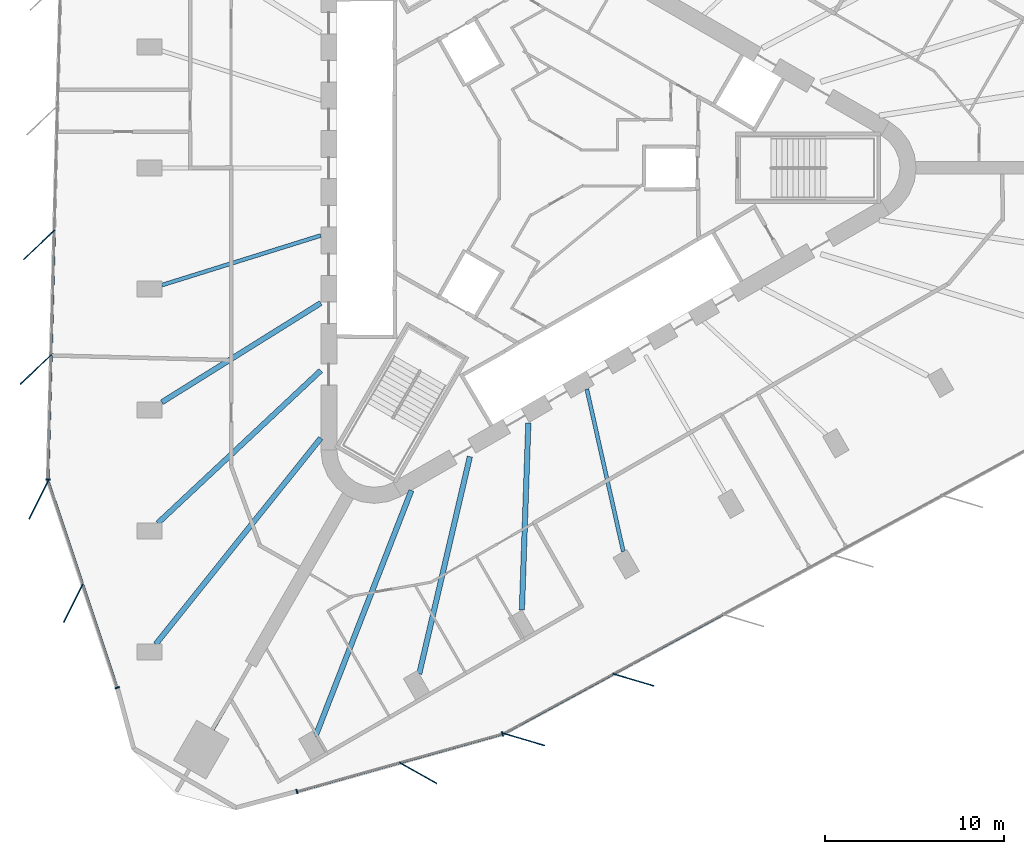
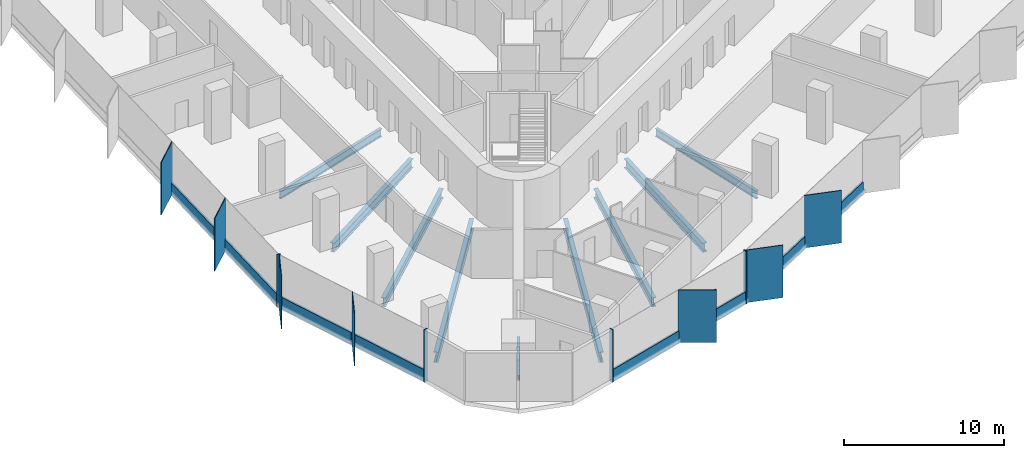
# One storey, part 2 of 14: 19 members, 9 beams, 4 elements without a shape of their own.
"""IFC4 building model written with IfcOpenShell, lengths in metres."""

from ifc_helpers import new_model, si_unit, direction, frame, origin, origin_2d, place, context, subcontext, project, spatial, rectangle, i_section, extrude, material, material_profile, profile_set, type_object, element, aggregate, save


model = new_model("IFC4")

# Units and contexts
model_context = context("Model", 3, precision=1e-05, world=origin(), true_north=direction((0.0, 1.0)))
body_context = subcontext(model_context, "Body", "Model", "MODEL_VIEW")
ifc_project = project(units=[si_unit("LENGTHUNIT", "METRE"), si_unit("AREAUNIT", "SQUARE_METRE"), si_unit("VOLUMEUNIT", "CUBIC_METRE"), si_unit("PLANEANGLEUNIT", "RADIAN"), si_unit("MASSUNIT", "GRAM", prefix="KILO")], contexts=[model_context])

# Site, building, storey
site_placement = place(None, origin())
site = spatial("IfcSite", under=ifc_project, at=site_placement, CompositionType="ELEMENT")
building_placement = place(site_placement, origin())
building = spatial("IfcBuilding", under=site, at=building_placement, Name="Tanit Gate Tower", CompositionType="ELEMENT")
storey_placement = place(building_placement, frame((0.0, 0.0, 245.199951171875)))
storey = spatial("IfcBuildingStorey", under=building, at=storey_placement, Name="L55", CompositionType="ELEMENT", Elevation=245.199951171875)

# Curtain wall, members
ifc_material_1 = material(Name="Aluminium bronze anodised and glass", Category="aluminium")
curtain_wall_type = type_object("IfcCurtainWallType", Name="Curtain wall typical mid", PredefinedType="NOTDEFINED", material=ifc_material_1)
curtain_wall_1_placement = place(storey_placement, origin())
curtain_wall_1 = element("IfcCurtainWall", 1, at=curtain_wall_1_placement, inside=storey, type_object=curtain_wall_type, Name="Curtain wall L55 W2", PredefinedType="NOTDEFINED")
ifc_material_2 = material(Name="Aluminium bronze anodised", Category="aluminium")
ifc_material_profile_1 = material_profile(ifc_material_2, rectangle(XDim=2.39990234375, YDim=0.055908203125, at=origin_2d()), Name="56x2400 bronze fin mullion")
ifc_profile_set_1 = profile_set([ifc_material_profile_1], Name="Aluminium bronze anodised")
member_type_1 = type_object("IfcMemberType", Name="FIN MULLION 56x2400 bronze", PredefinedType="MULLION", material=ifc_profile_set_1)
member_1_placement = place(storey_placement, frame((-27.85595703125, -4.296875, -0.300048828125), z_axis=(0.0, 0.0, 1.0), x_axis=(0.725200158595, 0.688538110764, 0.0)))
member_1 = element("IfcMember", 2, at=member_1_placement, type_object=member_type_1, Name="Fin mullion L55 W2.4", PredefinedType="MULLION", context=body_context, shape_type="SweptSolid", body=[
    extrude(rectangle(XDim=2.39990234375, YDim=0.055908203125, at=origin_2d()), origin(), (0.0, 0.0, 1.0), 4.0),
])
member_2_placement = place(storey_placement, frame((-28.036865234375, -11.2685546875, -0.300048828125), z_axis=(0.0, 0.0, 1.0), x_axis=(0.725200158595, 0.688538110764, 0.0)))
member_2 = element("IfcMember", 3, at=member_2_placement, type_object=member_type_1, Name="Fin mullion L55 W2.5", PredefinedType="MULLION", context=body_context, shape_type="SweptSolid", body=[
    extrude(rectangle(XDim=2.39990234375, YDim=0.055908203125, at=origin_2d()), origin(), (0.0, 0.0, 1.0), 4.0),
])

curtain_wall_2_placement = place(storey_placement, origin())
curtain_wall_2 = element("IfcCurtainWall", 4, at=curtain_wall_2_placement, inside=storey, type_object=curtain_wall_type, Name="Curtain wall L55 W3", PredefinedType="NOTDEFINED")
member_3_placement = place(storey_placement, frame((-27.8779296875, -18.561279296875, -0.300048828125), z_axis=(0.0, 0.0, 1.0), x_axis=(0.446864758438, 0.894601524516, 0.0)))
member_3 = element("IfcMember", 5, at=member_3_placement, type_object=member_type_1, Name="Fin mullion L55 W3.1", PredefinedType="MULLION", context=body_context, shape_type="SweptSolid", body=[
    extrude(rectangle(XDim=2.39990234375, YDim=0.055908203125, at=origin_2d()), origin(), (0.0, 0.0, 1.0), 4.0),
])
member_4_placement = place(storey_placement, frame((-25.94775390625, -24.34375, -0.300048828125), z_axis=(0.0, 0.0, 1.0), x_axis=(0.446864758438, 0.894601524516, 0.0)))
member_4 = element("IfcMember", 6, at=member_4_placement, type_object=member_type_1, Name="Fin mullion L55 W3.2", PredefinedType="MULLION", context=body_context, shape_type="SweptSolid", body=[
    extrude(rectangle(XDim=2.39990234375, YDim=0.055908203125, at=origin_2d()), origin(), (0.0, 0.0, 1.0), 4.0),
])

# Curtain wall, member
curtain_wall_3_placement = place(storey_placement, origin())
curtain_wall_3 = element("IfcCurtainWall", 7, at=curtain_wall_3_placement, inside=storey, type_object=curtain_wall_type, Name="Curtain wall L55 SE1", PredefinedType="NOTDEFINED")
member_5_placement = place(storey_placement, frame((-6.660400390625, -33.846435546875, -0.300048828125), z_axis=(0.0, 0.0, 1.0), x_axis=(-0.871576439722, 0.490259635012, 0.0)))
member_5 = element("IfcMember", 8, at=member_5_placement, type_object=member_type_1, Name="Fin mullion L55 SE1.2", PredefinedType="MULLION", context=body_context, shape_type="SweptSolid", body=[
    extrude(rectangle(XDim=2.39990234375, YDim=0.055908203125, at=origin_2d()), origin(), (0.0, 0.0, 1.0), 4.0),
])

# Curtain wall, members
curtain_wall_4_placement = place(storey_placement, origin())
curtain_wall_4 = element("IfcCurtainWall", 9, at=curtain_wall_4_placement, inside=storey, type_object=curtain_wall_type, Name="Curtain wall L55 SE2", PredefinedType="NOTDEFINED")
member_6_placement = place(storey_placement, frame((-0.735107421875, -31.96337890625, -0.300048828125), z_axis=(0.0, 0.0, 1.0), x_axis=(-0.958891574692, 0.28377270479, 0.0)))
member_6 = element("IfcMember", 10, at=member_6_placement, type_object=member_type_1, Name="Fin mullion L55 SE2.1", PredefinedType="MULLION", context=body_context, shape_type="SweptSolid", body=[
    extrude(rectangle(XDim=2.39990234375, YDim=0.055908203125, at=origin_2d()), origin(), (0.0, 0.0, 1.0), 4.0),
])
member_7_placement = place(storey_placement, frame((5.39306640625, -28.63427734375, -0.300048828125), z_axis=(0.0, 0.0, 1.0), x_axis=(-0.958891574692, 0.28377270479, 0.0)))
member_7 = element("IfcMember", 11, at=member_7_placement, type_object=member_type_1, Name="Fin mullion L55 SE2.2", PredefinedType="MULLION", context=body_context, shape_type="SweptSolid", body=[
    extrude(rectangle(XDim=2.39990234375, YDim=0.055908203125, at=origin_2d()), origin(), (0.0, 0.0, 1.0), 4.0),
])

# Member
ifc_material_3 = material(Name="Aluminium bronze anodised", Category="aluminium")
ifc_material_profile_2 = material_profile(ifc_material_3, rectangle(XDim=0.260009765625, YDim=0.080078125, at=origin_2d()), Name="80x260 bronze mullion")
ifc_profile_set_2 = profile_set([ifc_material_profile_2], Name="Aluminium bronze anodised")
member_type_2 = type_object("IfcMemberType", Name="Mullion 80x260 typical mid", PredefinedType="MULLION", material=ifc_profile_set_2)
member_8_placement = place(storey_placement, frame((-27.36279296875, -17.4287109375, -0.300048828125), z_axis=(0.0, 0.0, 1.0), x_axis=(0.999663917086, -0.025923982634, 0.0)))
member_8 = element("IfcMember", 12, at=member_8_placement, type_object=member_type_2, Name="Mullion L55 W2.6", PredefinedType="MULLION", context=body_context, shape_type="SweptSolid", body=[
    extrude(rectangle(XDim=0.260009765625, YDim=0.080078125, at=origin_2d()), origin(), (0.0, 0.0, 1.0), 4.0),
])

member_9_placement = place(storey_placement, frame((-23.490966796875, -29.072021484375, -0.300048828125), z_axis=(0.0, 0.0, 1.0), x_axis=(0.94855990541, 0.31659770348, 0.0)))
member_9 = element("IfcMember", 13, at=member_9_placement, type_object=member_type_2, Name="Mullion L55 W3.3", PredefinedType="MULLION", context=body_context, shape_type="SweptSolid", body=[
    extrude(rectangle(XDim=0.260009765625, YDim=0.080078125, at=origin_2d()), origin(), (0.0, 0.0, 1.0), 4.0),
])

member_10_placement = place(storey_placement, frame((-13.436279296875, -34.878173828125, -0.300048828125), z_axis=(0.0, 0.0, 1.0), x_axis=(-0.269631698391, 0.962963523309, 0.0)))
member_10 = element("IfcMember", 14, at=member_10_placement, type_object=member_type_2, Name="Mullion L55 SE1.1", PredefinedType="MULLION", context=body_context, shape_type="SweptSolid", body=[
    extrude(rectangle(XDim=0.260009765625, YDim=0.080078125, at=origin_2d()), origin(), (0.0, 0.0, 1.0), 4.0),
])

member_11_placement = place(storey_placement, frame((-1.939208984375, -31.658935546875, -0.300048828125), z_axis=(0.0, 0.0, 1.0), x_axis=(-0.269631698391, 0.962963523309, 0.0)))
member_11 = element("IfcMember", 15, at=member_11_placement, type_object=member_type_2, Name="Mullion L55 SE1.3", PredefinedType="MULLION", context=body_context, shape_type="SweptSolid", body=[
    extrude(rectangle(XDim=0.260009765625, YDim=0.080078125, at=origin_2d()), origin(), (0.0, 0.0, 1.0), 4.0),
])

# Beams
ifc_material_4 = material(Name="Steel S355", Category="steel")
ifc_material_profile_3 = material_profile(ifc_material_4, i_section(OverallWidth=0.300048828125, OverallDepth=0.68994140625, WebThickness=0.014404296875, FlangeThickness=0.027099609375, FilletRadius=0.027099609375, at=origin_2d()), Name="HEA 700")
ifc_profile_set_3 = profile_set([ifc_material_profile_3], Name="Steel S355")
beam_type_1 = type_object("IfcBeamType", Name="RADIAL GIRDER HEA 700 S355", PredefinedType="BEAM", material=ifc_profile_set_3)
beam_1_placement = place(storey_placement, frame((-20.993408203125, -13.10498046875, -0.64501953125), z_axis=(0.848289986152, 0.52953196258, 0.0), x_axis=(-0.52953196258, 0.848289986152, 0.0)))
element("IfcBeam", 16, at=beam_1_placement, inside=storey, type_object=beam_type_1, Name="RADIAL GIRDER", PredefinedType="BEAM", context=body_context, shape_type="SweptSolid", body=[
    extrude(i_section(OverallWidth=0.300048828125, OverallDepth=0.68994140625, WebThickness=0.014404296875, FlangeThickness=0.027099609375, FilletRadius=0.027099609375, at=origin_2d()), origin(), (0.0, 0.0, 1.0), 10.4814453125),
])
beam_2_placement = place(storey_placement, frame((-21.212646484375, -19.86279296875, -0.64501953125), z_axis=(0.729943944241, 0.683507014058, 0.0), x_axis=(-0.683507014058, 0.729943944241, 0.0)))
element("IfcBeam", 17, at=beam_2_placement, inside=storey, type_object=beam_type_1, Name="RADIAL GIRDER", PredefinedType="BEAM", context=body_context, shape_type="SweptSolid", body=[
    extrude(i_section(OverallWidth=0.300048828125, OverallDepth=0.68994140625, WebThickness=0.014404296875, FlangeThickness=0.027099609375, FilletRadius=0.027099609375, at=origin_2d()), origin(), (0.0, 0.0, 1.0), 12.481201171875),
])
beam_3_placement = place(storey_placement, frame((-6.595458984375, -28.30224609375, -0.64501953125), z_axis=(0.226957535876, 0.973904654938, 0.0), x_axis=(-0.973904654938, 0.226957535876, 0.0)))
element("IfcBeam", 18, at=beam_3_placement, inside=storey, type_object=beam_type_1, Name="RADIAL GIRDER", PredefinedType="BEAM", context=body_context, shape_type="SweptSolid", body=[
    extrude(i_section(OverallWidth=0.300048828125, OverallDepth=0.68994140625, WebThickness=0.014404296875, FlangeThickness=0.027099609375, FilletRadius=0.027099609375, at=origin_2d()), origin(), (0.0, 0.0, 1.0), 12.4814453125),
])
beam_4_placement = place(storey_placement, frame((-0.8525390625, -24.733154296875, -0.64501953125), z_axis=(0.034449440127, 0.999406441882, 0.0), x_axis=(-0.999406441882, 0.034449440127, 0.0)))
element("IfcBeam", 19, at=beam_4_placement, inside=storey, type_object=beam_type_1, Name="RADIAL GIRDER", PredefinedType="BEAM", context=body_context, shape_type="SweptSolid", body=[
    extrude(i_section(OverallWidth=0.300048828125, OverallDepth=0.68994140625, WebThickness=0.014404296875, FlangeThickness=0.027099609375, FilletRadius=0.027099609375, at=origin_2d()), origin(), (0.0, 0.0, 1.0), 10.4814453125),
])
ifc_material_5 = material(Name="Steel S355", Category="steel")
ifc_material_profile_4 = material_profile(ifc_material_5, i_section(OverallWidth=0.300048828125, OverallDepth=0.7900390625, WebThickness=0.014892578125, FlangeThickness=0.028076171875, FilletRadius=0.030029296875, at=origin_2d()), Name="HEA 800")
ifc_profile_set_4 = profile_set([ifc_material_profile_4], Name="Steel S355")
beam_type_2 = type_object("IfcBeamType", Name="RADIAL GIRDER HEA 800 S355", PredefinedType="BEAM", material=ifc_profile_set_4)
for number, where, z_axis, x_axis, name in (
    (20, (-21.3330078125, -26.6337890625, -0.695068359375), (0.625158701972, 0.780497660053, 0.0), (-0.780497660053, 0.625158701972, 0.0), "RADIAL GIRDER"),
    (21, (-12.399169921875, -31.791748046875, -0.695068359375), (0.363354891864, 0.931650805054, 0.0), (-0.931650805054, 0.363354891864, 0.0), "RADIAL GIRDER"),
):
    element("IfcBeam", number, at=place(storey_placement, frame(where, z_axis=z_axis, x_axis=x_axis)), inside=storey, type_object=beam_type_2, Name=name, PredefinedType="BEAM", context=body_context, shape_type="SweptSolid", body=[
        extrude(i_section(OverallWidth=0.300048828125, OverallDepth=0.7900390625, WebThickness=0.014892578125, FlangeThickness=0.028076171875, FilletRadius=0.030029296875, at=origin_2d()), origin(), (0.0, 0.0, 1.0), 14.765869140625),
    ])
ifc_material_6 = material(Name="Steel S355", Category="steel")
ifc_material_profile_5 = material_profile(ifc_material_6, i_section(OverallWidth=0.179931640625, OverallDepth=0.39990234375, WebThickness=0.008544921875, FlangeThickness=0.013427734375, FilletRadius=0.02099609375, at=origin_2d()), Name="IPE 400")
ifc_profile_set_5 = profile_set([ifc_material_profile_5], Name="Steel S355")
beam_type_3 = type_object("IfcBeamType", Name="RADIAL GIRDER IPE 400 S355", PredefinedType="BEAM", material=ifc_profile_set_5)
beam_5_placement = place(storey_placement, frame((-18.135009765625, -31.41064453125, -0.5), z_axis=(0.500009597358, 0.866019862676, 0.0), x_axis=(-0.866019862676, 0.500009597358, 0.0)))
element("IfcBeam", 22, at=beam_5_placement, inside=storey, type_object=beam_type_3, Name="RADIAL GIRDER", PredefinedType="BEAM", context=body_context, shape_type="SweptSolid", body=[
    extrude(i_section(OverallWidth=0.179931640625, OverallDepth=0.39990234375, WebThickness=0.008544921875, FlangeThickness=0.013427734375, FilletRadius=0.02099609375, at=origin_2d()), origin(), (0.0, 0.0, 1.0), 4.2197265625),
])
ifc_material_7 = material(Name="Steel S355", Category="steel")
ifc_material_profile_6 = material_profile(ifc_material_7, i_section(OverallWidth=0.219970703125, OverallDepth=0.60009765625, WebThickness=0.011962890625, FlangeThickness=0.01904296875, FilletRadius=0.02392578125, at=origin_2d()), Name="IPE 600")
ifc_profile_set_6 = profile_set([ifc_material_profile_6], Name="Steel S355")
beam_type_4 = type_object("IfcBeamType", Name="RADIAL GIRDER IPE 600 S355", PredefinedType="BEAM", material=ifc_profile_set_6)
beam_6_placement = place(storey_placement, frame((-20.993408203125, -6.552490234375, -0.599853515625), z_axis=(0.954583925113, 0.297942158674, 0.0), x_axis=(-0.297942158674, 0.954583925113, 0.0)))
element("IfcBeam", 23, at=beam_6_placement, inside=storey, type_object=beam_type_4, Name="RADIAL GIRDER", PredefinedType="BEAM", context=body_context, shape_type="SweptSolid", body=[
    extrude(i_section(OverallWidth=0.219970703125, OverallDepth=0.60009765625, WebThickness=0.011962890625, FlangeThickness=0.01904296875, FilletRadius=0.02392578125, at=origin_2d()), origin(), (0.0, 0.0, 1.0), 9.314453125),
])
beam_7_placement = place(storey_placement, frame((4.822021484375, -21.456787109375, -0.599853515625), z_axis=(-0.219263945234, 0.975665579141, 0.0), x_axis=(-0.975665579141, -0.219263945234, 0.0)))
element("IfcBeam", 24, at=beam_7_placement, inside=storey, type_object=beam_type_4, Name="RADIAL GIRDER", PredefinedType="BEAM", context=body_context, shape_type="SweptSolid", body=[
    extrude(i_section(OverallWidth=0.219970703125, OverallDepth=0.60009765625, WebThickness=0.011962890625, FlangeThickness=0.01904296875, FilletRadius=0.02392578125, at=origin_2d()), origin(), (0.0, 0.0, 1.0), 9.31396484375),
])

# Member
ifc_material_8 = material(Name="Aluminium bronze anodised", Category="aluminium")
ifc_material_profile_7 = material_profile(ifc_material_8, rectangle(XDim=0.139892578125, YDim=0.89990234375, at=origin_2d()), Name="140x900 bronze transom")
ifc_profile_set_7 = profile_set([ifc_material_profile_7], Name="Aluminium bronze anodised")
member_type_3 = type_object("IfcMemberType", Name="Transom 140x900 typical mid", PredefinedType="USERDEFINED", material=ifc_profile_set_7)
member_12_placement = place(storey_placement, frame((-27.002197265625, -3.525146484375, 0.150146484375), z_axis=(-0.025922066799, -0.999663966767, 0.0), x_axis=(0.999663966767, -0.025922066799, 0.0)))
member_12 = element("IfcMember", 25, at=member_12_placement, type_object=member_type_3, Name="Transom L55 W2.4", ObjectType="TRANSOM", PredefinedType="USERDEFINED", context=body_context, shape_type="SweptSolid", body=[
    extrude(rectangle(XDim=0.139892578125, YDim=0.89990234375, at=origin_2d()), origin(), (0.0, 0.0, 1.0), 6.89404296875),
])

member_13_placement = place(storey_placement, frame((-27.182861328125, -10.4970703125, 0.150146484375), z_axis=(-0.025922984492, -0.99966394297, 0.0), x_axis=(0.99966394297, -0.025922984492, 0.0)))
member_13 = element("IfcMember", 26, at=member_13_placement, type_object=member_type_3, Name="Transom L55 W2.5", ObjectType="TRANSOM", PredefinedType="USERDEFINED", context=body_context, shape_type="SweptSolid", body=[
    extrude(rectangle(XDim=0.139892578125, YDim=0.89990234375, at=origin_2d()), origin(), (0.0, 0.0, 1.0), 6.893798828125),
])

aggregate(curtain_wall_1, [member_1, member_2, member_8, member_12, member_13])

member_14_placement = place(storey_placement, frame((-27.33837890625, -17.544677734375, 0.150146484375), z_axis=(0.316617322318, -0.94855335707, 0.0), x_axis=(0.94855335707, 0.316617322318, 0.0)))
member_14 = element("IfcMember", 27, at=member_14_placement, type_object=member_type_3, Name="Transom L55 W3.1", ObjectType="TRANSOM", PredefinedType="USERDEFINED", context=body_context, shape_type="SweptSolid", body=[
    extrude(rectangle(XDim=0.139892578125, YDim=0.89990234375, at=origin_2d()), origin(), (0.0, 0.0, 1.0), 6.01611328125),
])

member_15_placement = place(storey_placement, frame((-25.408447265625, -23.3271484375, 0.150146484375), z_axis=(0.316605134965, -0.948557424995, 0.0), x_axis=(0.948557424995, 0.316605134965, 0.0)))
member_15 = element("IfcMember", 28, at=member_15_placement, type_object=member_type_3, Name="Transom L55 W3.2", ObjectType="TRANSOM", PredefinedType="USERDEFINED", context=body_context, shape_type="SweptSolid", body=[
    extrude(rectangle(XDim=0.139892578125, YDim=0.89990234375, at=origin_2d()), origin(), (0.0, 0.0, 1.0), 6.016357421875),
])

aggregate(curtain_wall_2, [member_3, member_4, member_9, member_14, member_15])

member_16_placement = place(storey_placement, frame((-13.39794921875, -34.8671875, 0.150146484375), z_axis=(0.962971338035, 0.269603787292, 0.0), x_axis=(-0.269603787292, 0.962971338035, 0.0)))
member_16 = element("IfcMember", 29, at=member_16_placement, type_object=member_type_3, Name="Transom L55 SE1.1", ObjectType="TRANSOM", PredefinedType="USERDEFINED", context=body_context, shape_type="SweptSolid", body=[
    extrude(rectangle(XDim=0.139892578125, YDim=0.89990234375, at=origin_2d()), origin(), (0.0, 0.0, 1.0), 5.8896484375),
])

member_17_placement = place(storey_placement, frame((-7.649169921875, -33.257568359375, 0.150146484375), z_axis=(0.962968324867, 0.269614549502, 0.0), x_axis=(-0.269614549502, 0.962968324867, 0.0)))
member_17 = element("IfcMember", 30, at=member_17_placement, type_object=member_type_3, Name="Transom L55 SE1.2", ObjectType="TRANSOM", PredefinedType="USERDEFINED", context=body_context, shape_type="SweptSolid", body=[
    extrude(rectangle(XDim=0.139892578125, YDim=0.89990234375, at=origin_2d()), origin(), (0.0, 0.0, 1.0), 5.889404296875),
])

aggregate(curtain_wall_3, [member_10, member_5, member_11, member_16, member_17])

member_18_placement = place(storey_placement, frame((-1.830322265625, -31.60986328125, 0.150146484375), z_axis=(0.878703630976, 0.47736770828, 0.0), x_axis=(-0.47736770828, 0.878703630976, 0.0)))
member_18 = element("IfcMember", 31, at=member_18_placement, type_object=member_type_3, Name="Transom L55 SE2.1", ObjectType="TRANSOM", PredefinedType="USERDEFINED", context=body_context, shape_type="SweptSolid", body=[
    extrude(rectangle(XDim=0.139892578125, YDim=0.89990234375, at=origin_2d()), origin(), (0.0, 0.0, 1.0), 6.89404296875),
])

member_19_placement = place(storey_placement, frame((4.2978515625, -28.280517578125, 0.150146484375), z_axis=(0.878703630976, 0.47736770828, 0.0), x_axis=(-0.47736770828, 0.878703630976, 0.0)))
member_19 = element("IfcMember", 32, at=member_19_placement, type_object=member_type_3, Name="Transom L55 SE2.2", ObjectType="TRANSOM", PredefinedType="USERDEFINED", context=body_context, shape_type="SweptSolid", body=[
    extrude(rectangle(XDim=0.139892578125, YDim=0.89990234375, at=origin_2d()), origin(), (0.0, 0.0, 1.0), 6.89404296875),
])

aggregate(curtain_wall_4, [member_6, member_7, member_18, member_19])

save(model, "model.ifc")
